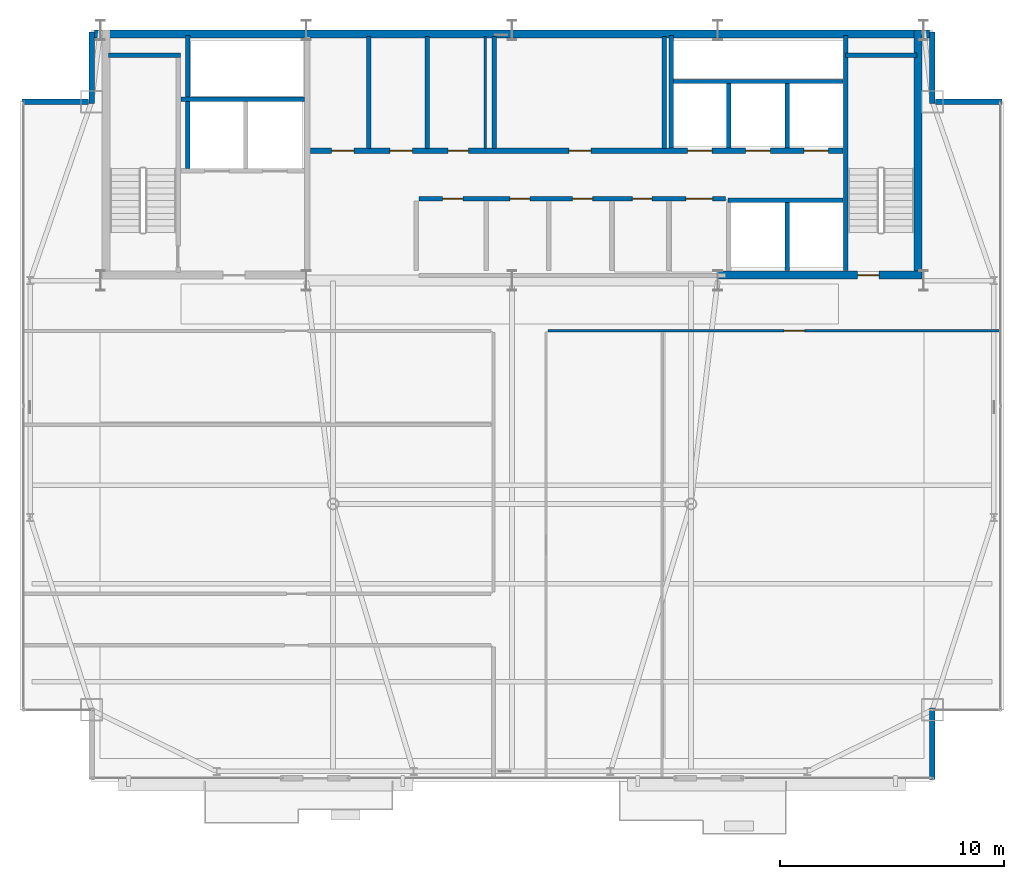
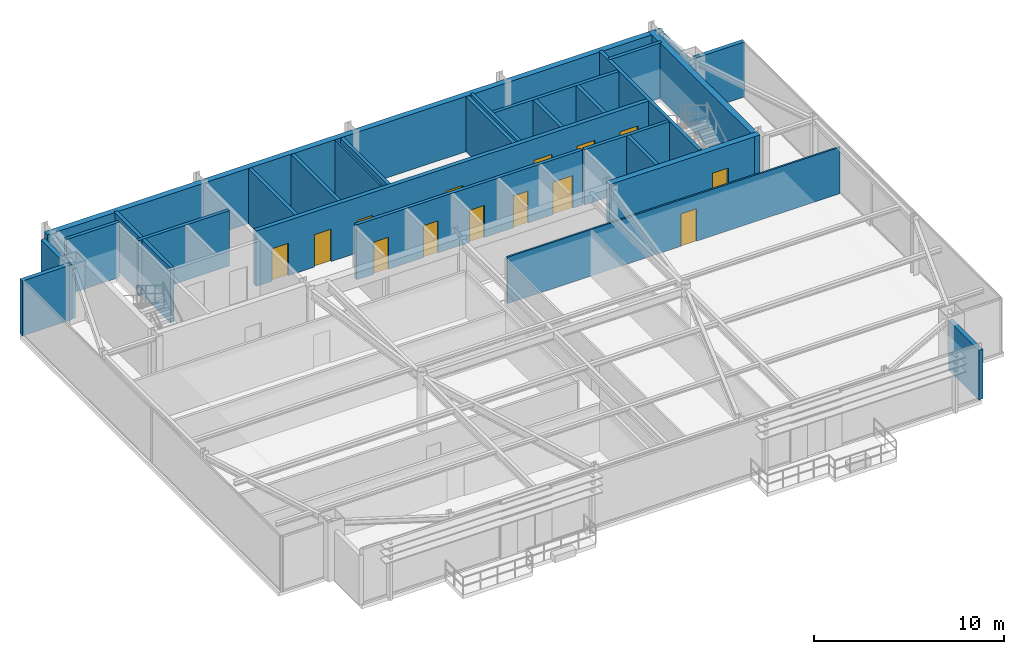
# One storey, part 20 of 23: 27 walls, 14 doors, 14 openings.
"""IFC4 building model written with IfcOpenShell, lengths in metres."""

from ifc_helpers import new_model, si_unit, direction, frame, frame_2d, origin, place, context, subcontext, project, spatial, rectangle, extrude, source, transform, mapped, material, layer, layer_set, type_object, type_shapes, element, fill, save


model = new_model("IFC4")

# Units and contexts
model_context = context("Model", 3, precision=1e-05, world=origin(), true_north=direction((0.0, 1.0)))
body_context = subcontext(model_context, "Body", "Model", "MODEL_VIEW")
ifc_project = project(units=[si_unit("LENGTHUNIT", "METRE"), si_unit("AREAUNIT", "SQUARE_METRE"), si_unit("VOLUMEUNIT", "CUBIC_METRE"), si_unit("PLANEANGLEUNIT", "RADIAN"), si_unit("MASSUNIT", "GRAM", prefix="KILO")], contexts=[model_context])

# Site, building, storey
site_placement = place(None, origin())
site = spatial("IfcSite", under=ifc_project, at=site_placement, CompositionType="ELEMENT")
building_placement = place(site_placement, origin())
building = spatial("IfcBuilding", under=site, at=building_placement, Name="Varnel Quay Broadcast Tower", CompositionType="ELEMENT")
storey_placement = place(building_placement, frame((0.0, 0.0, 266.0)))
storey = spatial("IfcBuildingStorey", under=building, at=storey_placement, Name="L66", CompositionType="ELEMENT", Elevation=266.0)

# Walls
ifc_material_1 = material(Name="Concrete CSA A23.3 C50/60", Category="concrete")
ifc_layer_1 = layer(ifc_material_1, 0.199951171875, Name="Concrete CSA A23.3 C50/60")
ifc_layer_set_1 = layer_set([ifc_layer_1], Name="Concrete CSA A23.3 C50/60")
wall_type_1 = type_object("IfcWallType", Name="Wall_CoreShaftShear200", PredefinedType="SHEAR", material=ifc_layer_set_1)
wall_1_placement = place(storey_placement, frame((15.949951171875, 45.679931640625, 0.0), z_axis=(0.0, 0.0, 1.0), x_axis=(1.0, 0.0, 0.0)))
element("IfcWall", 1, at=wall_1_placement, inside=storey, type_object=wall_type_1, Name="L66 Stair 1 North Structural Wall", PredefinedType="SHEAR", context=body_context, shape_type="SweptSolid", body=[
    extrude(rectangle(XDim=3.22998046875, YDim=0.199951171875, at=frame_2d((1.614990234375, 0.0))), origin(), (0.0, 0.0, 1.0), 3.550048828125),
])
wall_2_placement = place(storey_placement, frame((19.199951171875, 43.699951171875, 0.0), z_axis=(0.0, 0.0, 1.0), x_axis=(1.0, 0.0, 0.0)))
element("IfcWall", 2, at=wall_2_placement, inside=storey, type_object=wall_type_1, Name="L66 Firefighter Lift Shaft Rear Wall", PredefinedType="SHEAR", context=body_context, shape_type="SweptSolid", body=[
    extrude(rectangle(XDim=5.52001953125, YDim=0.199951171875, at=frame_2d((2.760009765625, 0.0))), origin(), (0.0, 0.0, 1.0), 3.550048828125),
])
wall_3_placement = place(storey_placement, frame((19.5, 40.60009765625, 0.0), z_axis=(0.0, 0.0, 1.0), x_axis=(0.0, 1.0, 0.0)))
element("IfcWall", 3, at=wall_3_placement, inside=storey, type_object=wall_type_1, Name="L66 Firefighter Lift Shaft West Wall", PredefinedType="SHEAR", context=body_context, shape_type="SweptSolid", body=[
    extrude(rectangle(XDim=5.949951171875, YDim=0.199951171875, at=frame_2d((2.97509765625, 0.0))), origin(), (0.0, 0.0, 1.0), 3.550048828125),
])
wall_4_placement = place(storey_placement, frame((48.919921875, 36.050048828125, 0.0), z_axis=(0.0, 0.0, 1.0), x_axis=(0.0, 1.0, 0.0)))
element("IfcWall", 4, at=wall_4_placement, inside=storey, type_object=wall_type_1, Name="L66 Stair 2 West Structural Wall", PredefinedType="SHEAR", context=body_context, shape_type="SweptSolid", body=[
    extrude(rectangle(XDim=10.5, YDim=0.199951171875, at=frame_2d((5.25, 0.0))), origin(), (0.0, 0.0, 1.0), 3.550048828125),
])
wall_5_placement = place(storey_placement, frame((48.919921875, 45.679931640625, 0.0), z_axis=(0.0, 0.0, 1.0), x_axis=(1.0, 0.0, 0.0)))
element("IfcWall", 5, at=wall_5_placement, inside=storey, type_object=wall_type_1, Name="L66 Stair 2 North Structural Wall", PredefinedType="SHEAR", context=body_context, shape_type="SweptSolid", body=[
    extrude(rectangle(XDim=3.18017578125, YDim=0.199951171875, at=frame_2d((1.590087890625, 0.0))), origin(), (0.0, 0.0, 1.0), 3.550048828125),
])
wall_6_placement = place(storey_placement, frame((41.219970703125, 44.5, 0.0), z_axis=(0.0, 0.0, 1.0), x_axis=(1.0, 0.0, 0.0)))
element("IfcWall", 6, at=wall_6_placement, inside=storey, type_object=wall_type_1, Name="L66 High-Rise Lift Shaft Rear Wall", PredefinedType="SHEAR", context=body_context, shape_type="SweptSolid", body=[
    extrude(rectangle(XDim=7.580078125, YDim=0.199951171875, at=frame_2d((3.7900390625, 0.0))), origin(), (0.0, 0.0, 1.0), 3.550048828125),
])
wall_7_placement = place(storey_placement, frame((41.1201171875, 41.530029296875, 0.0), z_axis=(0.0, 0.0, 1.0), x_axis=(0.0, 1.0, 0.0)))
element("IfcWall", 7, at=wall_7_placement, inside=storey, type_object=wall_type_1, Name="L66 High-Rise Lift Shaft Divider 1", PredefinedType="SHEAR", context=body_context, shape_type="SweptSolid", body=[
    extrude(rectangle(XDim=5.02001953125, YDim=0.199951171875, at=frame_2d((2.510009765625, 0.0))), origin(), (0.0, 0.0, 1.0), 3.550048828125),
])
for number, where, z_axis, x_axis, name in (
    (8, (43.699951171875, 41.530029296875, 0.0), (0.0, 0.0, 1.0), (0.0, 1.0, 0.0), "L66 High-Rise Lift Shaft Divider 2"),
    (9, (46.300048828125, 41.530029296875, 0.0), (0.0, 0.0, 1.0), (0.0, 1.0, 0.0), "L66 High-Rise Lift Shaft Divider 3"),
):
    element("IfcWall", number, at=place(storey_placement, frame(where, z_axis=z_axis, x_axis=x_axis)), inside=storey, type_object=wall_type_1, Name=name, PredefinedType="SHEAR", context=body_context, shape_type="SweptSolid", body=[
        extrude(rectangle(XDim=2.869873046875, YDim=0.199951171875, at=frame_2d((1.43505859375, 0.0))), origin(), (0.0, 0.0, 1.0), 3.550048828125),
    ])
wall_8_placement = place(storey_placement, frame((46.300048828125, 36.050048828125, 0.0), z_axis=(0.0, 0.0, 1.0), x_axis=(0.0, 1.0, 0.0)))
element("IfcWall", 10, at=wall_8_placement, inside=storey, type_object=wall_type_1, Name="L66 Express Lift Shaft Divider", PredefinedType="SHEAR", context=body_context, shape_type="SweptSolid", body=[
    extrude(rectangle(XDim=3.050048828125, YDim=0.199951171875, at=frame_2d((1.52490234375, 0.0))), origin(), (0.0, 0.0, 1.0), 3.550048828125),
])
wall_9_placement = place(storey_placement, frame((43.64990234375, 39.199951171875, 0.0), z_axis=(0.0, 0.0, 1.0), x_axis=(1.0, 0.0, 0.0)))
element("IfcWall", 11, at=wall_9_placement, inside=storey, type_object=wall_type_1, Name="L66 Express Lift Shaft North Front Wall", PredefinedType="SHEAR", context=body_context, shape_type="SweptSolid", body=[
    extrude(rectangle(XDim=5.150146484375, YDim=0.199951171875, at=frame_2d((2.5751953125, 0.0))), origin(), (0.0, 0.0, 1.0), 3.550048828125),
])

# Wall, openings, doors
ifc_layer_2 = layer(ifc_material_1, 0.25, Name="Concrete CSA A23.3 C50/60")
ifc_layer_set_2 = layer_set([ifc_layer_2], Name="Concrete CSA A23.3 C50/60")
wall_type_2 = type_object("IfcWallType", Name="Wall_CoreShaftShear250", PredefinedType="SHEAR", material=ifc_layer_set_2)
wall_10_placement = place(storey_placement, frame((24.97998046875, 41.39990234375, 0.0), z_axis=(0.0, 0.0, 1.0), x_axis=(1.0, 0.0, 0.0)))
wall_10 = element("IfcWall", 12, at=wall_10_placement, inside=storey, type_object=wall_type_2, Name="L66 North Lift Bank & Reclaimed Suite Wall", PredefinedType="SHEAR", context=body_context, shape_type="SweptSolid", body=[
    extrude(rectangle(XDim=23.820068359375, YDim=0.25, at=frame_2d((11.91015625, 0.0))), origin(), (0.0, 0.0, 1.0), 3.550048828125),
])
opening_1_placement = place(wall_10_placement, frame((16.8701171875, 0.0, 0.0)))
opening_1 = element("IfcOpeningElement", 13, at=opening_1_placement, cuts=wall_10, Name="Opening LD-L66-PH-01", PredefinedType="OPENING", context=body_context, shape_type="SweptSolid", body=[
    extrude(rectangle(XDim=1.10009765625, YDim=2.179931640625, at=frame_2d((0.550048828125, 1.08984375))), frame((0.0, 0.135009765625, 0.0), z_axis=(0.0, -1.0, 0.0), x_axis=(1.0, 0.0, 0.0)), (0.0, 0.0, 1.0), 0.27001953125),
])
opening_2_placement = place(wall_10_placement, frame((19.469970703125, 0.0, 0.0)))
opening_2 = element("IfcOpeningElement", 14, at=opening_2_placement, cuts=wall_10, Name="Opening LD-L66-PH-02", PredefinedType="OPENING", context=body_context, shape_type="SweptSolid", body=[
    extrude(rectangle(XDim=1.10009765625, YDim=2.179931640625, at=frame_2d((0.550048828125, 1.08984375))), frame((0.0, 0.135009765625, 0.0), z_axis=(0.0, -1.0, 0.0), x_axis=(1.0, 0.0, 0.0)), (0.0, 0.0, 1.0), 0.27001953125),
])
opening_3_placement = place(wall_10_placement, frame((22.070068359375, 0.0, 0.0)))
opening_3 = element("IfcOpeningElement", 15, at=opening_3_placement, cuts=wall_10, Name="Opening LD-L66-PH-03", PredefinedType="OPENING", context=body_context, shape_type="SweptSolid", body=[
    extrude(rectangle(XDim=1.10009765625, YDim=2.179931640625, at=frame_2d((0.550048828125, 1.08984375))), frame((0.0, 0.135009765625, 0.0), z_axis=(0.0, -1.0, 0.0), x_axis=(1.0, 0.0, 0.0)), (0.0, 0.0, 1.0), 0.27001953125),
])
opening_4_placement = place(wall_10_placement, frame((0.9599609375, 0.0, 0.0)))
opening_4 = element("IfcOpeningElement", 16, at=opening_4_placement, cuts=wall_10, Name="Opening D-L66-RECA1", PredefinedType="OPENING", context=body_context, shape_type="SweptSolid", body=[
    extrude(rectangle(XDim=1.0, YDim=2.080078125, at=frame_2d((0.5, 1.0400390625))), frame((0.0, 0.135009765625, 0.0), z_axis=(0.0, -1.0, 0.0), x_axis=(1.0, 0.0, 0.0)), (0.0, 0.0, 1.0), 0.27001953125),
])
opening_5_placement = place(wall_10_placement, frame((3.56005859375, 0.0, 0.0)))
opening_5 = element("IfcOpeningElement", 17, at=opening_5_placement, cuts=wall_10, Name="Opening D-L66-RECA2", PredefinedType="OPENING", context=body_context, shape_type="SweptSolid", body=[
    extrude(rectangle(XDim=1.0, YDim=2.080078125, at=frame_2d((0.5, 1.0400390625))), frame((0.0, 0.135009765625, 0.0), z_axis=(0.0, -1.0, 0.0), x_axis=(1.0, 0.0, 0.0)), (0.0, 0.0, 1.0), 0.27001953125),
])
opening_6_placement = place(wall_10_placement, frame((6.159912109375, 0.0, 0.0)))
opening_6 = element("IfcOpeningElement", 18, at=opening_6_placement, cuts=wall_10, Name="Opening D-L66-RECA3", PredefinedType="OPENING", context=body_context, shape_type="SweptSolid", body=[
    extrude(rectangle(XDim=0.919921875, YDim=2.080078125, at=frame_2d((0.4599609375, 1.0400390625))), frame((0.0, 0.135009765625, 0.0), z_axis=(0.0, -1.0, 0.0), x_axis=(1.0, 0.0, 0.0)), (0.0, 0.0, 1.0), 0.27001953125),
])
opening_7_placement = place(wall_10_placement, frame((11.56005859375, 0.0, 0.0)))
opening_7 = element("IfcOpeningElement", 19, at=opening_7_placement, cuts=wall_10, Name="Opening D-L66-RECB1", PredefinedType="OPENING", context=body_context, shape_type="SweptSolid", body=[
    extrude(rectangle(XDim=1.0, YDim=2.080078125, at=frame_2d((0.5, 1.0400390625))), frame((0.0, 0.135009765625, 0.0), z_axis=(0.0, -1.0, 0.0), x_axis=(1.0, 0.0, 0.0)), (0.0, 0.0, 1.0), 0.27001953125),
])
ifc_material_2 = material(Name="Brushed Bronze-Stainless Lift Car & Sliding Doors", Category="steel")
door_type_1 = type_object("IfcDoorType", Name="Door_LiftLanding1100", OperationType="SLIDING_TO_LEFT", PredefinedType="DOOR", material=ifc_material_2)
shared_shape_1 = source(origin(), body_context, "Body", "SweptSolid", [
    extrude(rectangle(XDim=1.10009765625, YDim=2.179931640625, at=frame_2d((0.550048828125, 1.08984375))), frame((0.0, 0.02490234375, 0.0), z_axis=(0.0, -1.0, 0.0), x_axis=(1.0, 0.0, 0.0)), (0.0, 0.0, 1.0), 0.050048828125),
])
type_shapes(door_type_1, [shared_shape_1])
door_1_placement = place(opening_1_placement, frame((1.10009765625, 0.0, 0.0), z_axis=(0.0, 0.0, 1.0), x_axis=(-1.0, 0.0, 0.0)))
door_1 = element("IfcDoor", 20, at=door_1_placement, inside=storey, type_object=door_type_1, Name="L66 Lift PH-01 Landing Door", OperationType="SLIDING_TO_LEFT", OverallHeight=2.179931640625, OverallWidth=1.10009765625, PredefinedType="DOOR", context=body_context, shape_type="MappedRepresentation", body=[
    mapped(shared_shape_1, transform((0.0, 0.0, 0.0), x_axis=(1.0, 0.0, 0.0), y_axis=(0.0, 1.0, 0.0), z_axis=(0.0, 0.0, 1.0), scale=1.0)),
])
fill(opening_1, door_1)
door_2_placement = place(opening_2_placement, frame((1.10009765625, 0.0, 0.0), z_axis=(0.0, 0.0, 1.0), x_axis=(-1.0, 0.0, 0.0)))
door_2 = element("IfcDoor", 21, at=door_2_placement, inside=storey, type_object=door_type_1, Name="L66 Lift PH-02 Landing Door", OperationType="SLIDING_TO_LEFT", OverallHeight=2.179931640625, OverallWidth=1.10009765625, PredefinedType="DOOR", context=body_context, shape_type="MappedRepresentation", body=[
    mapped(shared_shape_1, transform((0.0, 0.0, 0.0), x_axis=(1.0, 0.0, 0.0), y_axis=(0.0, 1.0, 0.0), z_axis=(0.0, 0.0, 1.0), scale=1.0)),
])
fill(opening_2, door_2)
door_3_placement = place(opening_3_placement, frame((1.10009765625, 0.0, 0.0), z_axis=(0.0, 0.0, 1.0), x_axis=(-1.0, 0.0, 0.0)))
door_3 = element("IfcDoor", 22, at=door_3_placement, inside=storey, type_object=door_type_1, Name="L66 Lift PH-03 Landing Door", OperationType="SLIDING_TO_LEFT", OverallHeight=2.179931640625, OverallWidth=1.10009765625, PredefinedType="DOOR", context=body_context, shape_type="MappedRepresentation", body=[
    mapped(shared_shape_1, transform((0.0, 0.0, 0.0), x_axis=(1.0, 0.0, 0.0), y_axis=(0.0, 1.0, 0.0), z_axis=(0.0, 0.0, 1.0), scale=1.0)),
])
fill(opening_3, door_3)
ifc_material_3 = material(Name="Insulated Fire-Rated Hollow Steel Door", Category="steel")
door_type_2 = type_object("IfcDoorType", Name="Door_FireLobby1000", OperationType="NOTDEFINED", PredefinedType="DOOR", material=ifc_material_3)
shared_shape_2 = source(origin(), body_context, "Body", "SweptSolid", [
    extrude(rectangle(XDim=1.0, YDim=2.080078125, at=frame_2d((0.5, 1.0400390625))), frame((0.0, 0.02490234375, 0.0), z_axis=(0.0, -1.0, 0.0), x_axis=(1.0, 0.0, 0.0)), (0.0, 0.0, 1.0), 0.050048828125),
])
type_shapes(door_type_2, [shared_shape_2])
door_4_placement = place(opening_4_placement, origin())
door_4 = element("IfcDoor", 23, at=door_4_placement, inside=storey, type_object=door_type_2, Name="L66 Ingest Rack Bay A Door", OperationType="SINGLE_SWING_RIGHT", OverallHeight=2.080078125, OverallWidth=1.0, PredefinedType="DOOR", context=body_context, shape_type="MappedRepresentation", body=[
    mapped(shared_shape_2, transform((0.0, 0.0, 0.0), x_axis=(1.0, 0.0, 0.0), y_axis=(0.0, 1.0, 0.0), z_axis=(0.0, 0.0, 1.0), scale=1.0)),
])
fill(opening_4, door_4)
door_5_placement = place(opening_5_placement, origin())
door_5 = element("IfcDoor", 24, at=door_5_placement, inside=storey, type_object=door_type_2, Name="L66 Fiber Patch Bay Door", OperationType="SINGLE_SWING_LEFT", OverallHeight=2.080078125, OverallWidth=1.0, PredefinedType="DOOR", context=body_context, shape_type="MappedRepresentation", body=[
    mapped(shared_shape_2, transform((0.0, 0.0, 0.0), x_axis=(1.0, 0.0, 0.0), y_axis=(0.0, 1.0, 0.0), z_axis=(0.0, 0.0, 1.0), scale=1.0)),
])
fill(opening_5, door_5)
door_6_placement = place(opening_7_placement, origin())
door_6 = element("IfcDoor", 25, at=door_6_placement, inside=storey, type_object=door_type_2, Name="L66 High-Zone Broadcast Rack Hall Door", OperationType="SINGLE_SWING_LEFT", OverallHeight=2.080078125, OverallWidth=1.0, PredefinedType="DOOR", context=body_context, shape_type="MappedRepresentation", body=[
    mapped(shared_shape_2, transform((0.0, 0.0, 0.0), x_axis=(1.0, 0.0, 0.0), y_axis=(0.0, 1.0, 0.0), z_axis=(0.0, 0.0, 1.0), scale=1.0)),
])
fill(opening_7, door_6)
ifc_material_4 = material(Name="Solid-Core Fire-Rated Acoustic Oak Veneer Door", Category="wood")
door_type_3 = type_object("IfcDoorType", Name="Door_Office920", OperationType="NOTDEFINED", PredefinedType="DOOR", material=ifc_material_4)
shared_shape_3 = source(origin(), body_context, "Body", "SweptSolid", [
    extrude(rectangle(XDim=0.919921875, YDim=2.080078125, at=frame_2d((0.4599609375, 1.0400390625))), frame((0.0, 0.02490234375, 0.0), z_axis=(0.0, -1.0, 0.0), x_axis=(1.0, 0.0, 0.0)), (0.0, 0.0, 1.0), 0.050048828125),
])
type_shapes(door_type_3, [shared_shape_3])
door_7_placement = place(opening_6_placement, origin())
door_7 = element("IfcDoor", 26, at=door_7_placement, inside=storey, type_object=door_type_3, Name="L66 Telemetry Store Door", OperationType="SINGLE_SWING_RIGHT", OverallHeight=2.080078125, OverallWidth=0.919921875, PredefinedType="DOOR", context=body_context, shape_type="MappedRepresentation", body=[
    mapped(shared_shape_3, transform((0.0, 0.0, 0.0), x_axis=(1.0, 0.0, 0.0), y_axis=(0.0, 1.0, 0.0), z_axis=(0.0, 0.0, 1.0), scale=1.0)),
])
fill(opening_6, door_7)

# Walls
ifc_layer_3 = layer(ifc_material_1, 0.35009765625, Name="Concrete CSA A23.3 C50/60")
ifc_layer_set_3 = layer_set([ifc_layer_3], Name="Concrete CSA A23.3 C50/60")
wall_type_3 = type_object("IfcWallType", Name="Wall_CoreShearExt350", PredefinedType="SHEAR", material=ifc_layer_set_3)
wall_11_placement = place(storey_placement, frame((15.324951171875, 46.625, 0.0), z_axis=(0.0, 0.0, 1.0), x_axis=(1.0, 0.0, 0.0)))
element("IfcWall", 27, at=wall_11_placement, inside=storey, type_object=wall_type_3, Name="L66 North Core Shear Wall", PredefinedType="SHEAR", context=body_context, shape_type="SweptSolid", body=[
    extrude(rectangle(XDim=37.35009765625, YDim=0.35009765625, at=frame_2d((18.675048828125, 0.0))), origin(), (0.0, 0.0, 1.0), 3.550048828125),
])
ifc_layer_4 = layer(ifc_material_1, 0.35009765625, Name="Concrete CSA A23.3 C50/60")
ifc_layer_set_4 = layer_set([ifc_layer_4], Name="Concrete CSA A23.3 C50/60")
wall_type_4 = type_object("IfcWallType", Name="Wall_CoreShearInt350", PredefinedType="SHEAR", material=ifc_layer_set_4)
wall_12_placement = place(storey_placement, frame((52.155029296875, 35.669921875, 0.0), z_axis=(0.0, 0.0, 1.0), x_axis=(0.0, 1.0, 0.0)))
element("IfcWall", 28, at=wall_12_placement, inside=storey, type_object=wall_type_4, Name="L66 East Core Shear Wall", PredefinedType="SHEAR", context=body_context, shape_type="SweptSolid", body=[
    extrude(rectangle(XDim=11.130126953125, YDim=0.35009765625, at=frame_2d((5.56494140625, 0.0))), origin(), (0.0, 0.0, 1.0), 3.550048828125),
])

# Wall, opening, door
wall_13_placement = place(storey_placement, frame((43.199951171875, 35.844970703125, 0.0), z_axis=(0.0, 0.0, 1.0), x_axis=(1.0, 0.0, 0.0)))
wall_13 = element("IfcWall", 29, at=wall_13_placement, inside=storey, type_object=wall_type_4, Name="L66 South-East Core Shear Wall", PredefinedType="SHEAR", context=body_context, shape_type="SweptSolid", body=[
    extrude(rectangle(XDim=9.130126953125, YDim=0.35009765625, at=frame_2d((4.56494140625, 0.0))), origin(), (0.0, 0.0, 1.0), 3.550048828125),
])
opening_8_placement = place(wall_13_placement, frame((6.25, 0.0, 0.0)))
opening_8 = element("IfcOpeningElement", 30, at=opening_8_placement, cuts=wall_13, Name="Opening D-L66-S2", PredefinedType="OPENING", context=body_context, shape_type="SweptSolid", body=[
    extrude(rectangle(XDim=0.949951171875, YDim=2.10009765625, at=frame_2d((0.47509765625, 1.050048828125))), frame((0.0, 0.18505859375, 0.0), z_axis=(0.0, -1.0, 0.0), x_axis=(1.0, 0.0, 0.0)), (0.0, 0.0, 1.0), 0.3701171875),
])
door_type_4 = type_object("IfcDoorType", Name="Door_FireStair950", OperationType="NOTDEFINED", PredefinedType="DOOR", material=ifc_material_3)
shared_shape_4 = source(origin(), body_context, "Body", "SweptSolid", [
    extrude(rectangle(XDim=0.949951171875, YDim=2.10009765625, at=frame_2d((0.47509765625, 1.050048828125))), frame((0.0, 0.02490234375, 0.0), z_axis=(0.0, -1.0, 0.0), x_axis=(1.0, 0.0, 0.0)), (0.0, 0.0, 1.0), 0.050048828125),
])
type_shapes(door_type_4, [shared_shape_4])
door_8_placement = place(opening_8_placement, origin())
door_8 = element("IfcDoor", 31, at=door_8_placement, inside=storey, type_object=door_type_4, Name="L66 Stair 2 Fire Door", OperationType="SINGLE_SWING_LEFT", OverallHeight=2.10009765625, OverallWidth=0.949951171875, PredefinedType="DOOR", context=body_context, shape_type="MappedRepresentation", body=[
    mapped(shared_shape_4, transform((0.0, 0.0, 0.0), x_axis=(1.0, 0.0, 0.0), y_axis=(0.0, 1.0, 0.0), z_axis=(0.0, 0.0, 1.0), scale=1.0)),
])
fill(opening_8, door_8)

# Walls
ifc_material_5 = material(Name="Precast Architectural Concrete C40/50", Category="concrete")
ifc_layer_5 = layer(ifc_material_5, 0.25, Name="Precast Architectural Concrete C40/50")
ifc_layer_set_5 = layer_set([ifc_layer_5], Name="Precast Architectural Concrete C40/50")
wall_type_5 = type_object("IfcWallType", Name="Wall_ExtTerrace250", PredefinedType="SOLIDWALL", material=ifc_layer_set_5)
wall_14_placement = place(storey_placement, frame((52.800048828125, 13.280029296875, 0.0), z_axis=(0.0, 0.0, 1.0), x_axis=(0.0, 1.0, 0.0)))
element("IfcWall", 32, at=wall_14_placement, inside=storey, type_object=wall_type_5, Name="L66 Mega-Column Notch Cladding Wall NSE2", PredefinedType="SOLIDWALL", context=body_context, shape_type="SweptSolid", body=[
    extrude(rectangle(XDim=3.199951171875, YDim=0.25, at=frame_2d((1.60009765625, 0.0))), origin(), (0.0, 0.0, 1.0), 3.1708984375),
])
wall_15_placement = place(storey_placement, frame((12.080078125, 43.60009765625, 0.0), z_axis=(0.0, 0.0, 1.0), x_axis=(1.0, 0.0, 0.0)))
element("IfcWall", 33, at=wall_15_placement, inside=storey, type_object=wall_type_5, Name="L66 Mega-Column Notch Cladding Wall NNW1", PredefinedType="SOLIDWALL", context=body_context, shape_type="SweptSolid", body=[
    extrude(rectangle(XDim=2.989990234375, YDim=0.25, at=frame_2d((1.4951171875, 0.0))), origin(), (0.0, 0.0, 1.0), 3.530029296875),
])
wall_16_placement = place(storey_placement, frame((15.199951171875, 43.52001953125, 0.0), z_axis=(0.0, 0.0, 1.0), x_axis=(0.0, 1.0, 0.0)))
element("IfcWall", 34, at=wall_16_placement, inside=storey, type_object=wall_type_5, Name="L66 Mega-Column Notch Cladding Wall NNW2", PredefinedType="SOLIDWALL", context=body_context, shape_type="SweptSolid", body=[
    extrude(rectangle(XDim=3.199951171875, YDim=0.25, at=frame_2d((1.60009765625, 0.0))), origin(), (0.0, 0.0, 1.0), 3.1708984375),
])
wall_17_placement = place(storey_placement, frame((52.929931640625, 43.60009765625, 0.0), z_axis=(0.0, 0.0, 1.0), x_axis=(1.0, 0.0, 0.0)))
element("IfcWall", 35, at=wall_17_placement, inside=storey, type_object=wall_type_5, Name="L66 Mega-Column Notch Cladding Wall NNE1", PredefinedType="SOLIDWALL", context=body_context, shape_type="SweptSolid", body=[
    extrude(rectangle(XDim=2.989990234375, YDim=0.25, at=frame_2d((1.4951171875, 0.0))), origin(), (0.0, 0.0, 1.0), 3.530029296875),
])
wall_18_placement = place(storey_placement, frame((52.800048828125, 43.52001953125, 0.0), z_axis=(0.0, 0.0, 1.0), x_axis=(0.0, 1.0, 0.0)))
element("IfcWall", 36, at=wall_18_placement, inside=storey, type_object=wall_type_5, Name="L66 Mega-Column Notch Cladding Wall NNE2", PredefinedType="SOLIDWALL", context=body_context, shape_type="SweptSolid", body=[
    extrude(rectangle(XDim=3.199951171875, YDim=0.25, at=frame_2d((1.60009765625, 0.0))), origin(), (0.0, 0.0, 1.0), 3.1708984375),
])

# Wall, openings, doors
ifc_material_6 = material(Name="Concrete Blockwork Fire Enclosure C40/50", Category="masonry")
ifc_layer_6 = layer(ifc_material_6, 0.199951171875, Name="Concrete Blockwork Fire Enclosure C40/50")
ifc_layer_set_6 = layer_set([ifc_layer_6], Name="Concrete Blockwork Fire Enclosure C40/50")
wall_type_6 = type_object("IfcWallType", Name="Wall_FireShaft200", PredefinedType="SOLIDWALL", material=ifc_layer_set_6)
wall_19_placement = place(storey_placement, frame((29.85009765625, 39.25, 0.0), z_axis=(0.0, 0.0, 1.0), x_axis=(1.0, 0.0, 0.0)))
wall_19 = element("IfcWall", 37, at=wall_19_placement, inside=storey, type_object=wall_type_6, Name="L66 Accessible Washroom Partition 3", PredefinedType="SOLIDWALL", context=body_context, shape_type="SweptSolid", body=[
    extrude(rectangle(XDim=13.699951171875, YDim=0.199951171875, at=frame_2d((6.85009765625, 0.0))), origin(), (0.0, 0.0, 1.0), 3.530029296875),
])
opening_9_placement = place(wall_19_placement, frame((1.050048828125, 0.0, 0.0)))
opening_9 = element("IfcOpeningElement", 38, at=opening_9_placement, cuts=wall_19, Name="Opening D-L66-01", PredefinedType="OPENING", context=body_context, shape_type="SweptSolid", body=[
    extrude(rectangle(XDim=0.89990234375, YDim=2.06005859375, at=frame_2d((0.449951171875, 1.030029296875))), frame((0.0, 0.10986328125, 0.0), z_axis=(0.0, -1.0, 0.0), x_axis=(1.0, 0.0, 0.0)), (0.0, 0.0, 1.0), 0.219970703125),
])
opening_10_placement = place(wall_19_placement, frame((4.050048828125, 0.0, 0.0)))
opening_10 = element("IfcOpeningElement", 39, at=opening_10_placement, cuts=wall_19, Name="Opening D-L66-02", PredefinedType="OPENING", context=body_context, shape_type="SweptSolid", body=[
    extrude(rectangle(XDim=0.89990234375, YDim=2.06005859375, at=frame_2d((0.449951171875, 1.030029296875))), frame((0.0, 0.10986328125, 0.0), z_axis=(0.0, -1.0, 0.0), x_axis=(1.0, 0.0, 0.0)), (0.0, 0.0, 1.0), 0.219970703125),
])
opening_11_placement = place(wall_19_placement, frame((6.85009765625, 0.0, 0.0)))
opening_11 = element("IfcOpeningElement", 40, at=opening_11_placement, cuts=wall_19, Name="Opening D-L66-03", PredefinedType="OPENING", context=body_context, shape_type="SweptSolid", body=[
    extrude(rectangle(XDim=0.89990234375, YDim=2.06005859375, at=frame_2d((0.449951171875, 1.030029296875))), frame((0.0, 0.10986328125, 0.0), z_axis=(0.0, -1.0, 0.0), x_axis=(1.0, 0.0, 0.0)), (0.0, 0.0, 1.0), 0.219970703125),
])
opening_12_placement = place(wall_19_placement, frame((9.534912109375, 0.0, 0.0)))
opening_12 = element("IfcOpeningElement", 41, at=opening_12_placement, cuts=wall_19, Name="Opening D-L66-04", PredefinedType="OPENING", context=body_context, shape_type="SweptSolid", body=[
    extrude(rectangle(XDim=0.8798828125, YDim=2.06005859375, at=frame_2d((0.43994140625, 1.030029296875))), frame((0.0, 0.10986328125, 0.0), z_axis=(0.0, -1.0, 0.0), x_axis=(1.0, 0.0, 0.0)), (0.0, 0.0, 1.0), 0.219970703125),
])
opening_13_placement = place(wall_19_placement, frame((11.925048828125, 0.0, 0.0)))
opening_13 = element("IfcOpeningElement", 42, at=opening_13_placement, cuts=wall_19, Name="Opening D-L66-05", PredefinedType="OPENING", context=body_context, shape_type="SweptSolid", body=[
    extrude(rectangle(XDim=1.199951171875, YDim=2.10009765625, at=frame_2d((0.60009765625, 1.050048828125))), frame((0.0, 0.10986328125, 0.0), z_axis=(0.0, -1.0, 0.0), x_axis=(1.0, 0.0, 0.0)), (0.0, 0.0, 1.0), 0.219970703125),
])
door_type_5 = type_object("IfcDoorType", Name="Door_Washroom900", OperationType="NOTDEFINED", PredefinedType="DOOR", material=ifc_material_4)
shared_shape_5 = source(origin(), body_context, "Body", "SweptSolid", [
    extrude(rectangle(XDim=0.89990234375, YDim=2.06005859375, at=frame_2d((0.449951171875, 1.030029296875))), frame((0.0, 0.02490234375, 0.0), z_axis=(0.0, -1.0, 0.0), x_axis=(1.0, 0.0, 0.0)), (0.0, 0.0, 1.0), 0.050048828125),
])
type_shapes(door_type_5, [shared_shape_5])
door_9_placement = place(opening_9_placement, frame((0.89990234375, 0.0, 0.0), z_axis=(0.0, 0.0, 1.0), x_axis=(-1.0, 0.0, 0.0)))
door_9 = element("IfcDoor", 43, at=door_9_placement, inside=storey, type_object=door_type_5, Name="L66 Accessible Washroom Door D-L66-01", OperationType="SINGLE_SWING_RIGHT", OverallHeight=2.06005859375, OverallWidth=0.89990234375, PredefinedType="DOOR", context=body_context, shape_type="MappedRepresentation", body=[
    mapped(shared_shape_5, transform((0.0, 0.0, 0.0), x_axis=(1.0, 0.0, 0.0), y_axis=(0.0, 1.0, 0.0), z_axis=(0.0, 0.0, 1.0), scale=1.0)),
])
fill(opening_9, door_9)
door_10_placement = place(opening_10_placement, frame((0.89990234375, 0.0, 0.0), z_axis=(0.0, 0.0, 1.0), x_axis=(-1.0, 0.0, 0.0)))
door_10 = element("IfcDoor", 44, at=door_10_placement, inside=storey, type_object=door_type_5, Name="L66 West Gender-Neutral Washroom Door D-L66-02", OperationType="SINGLE_SWING_LEFT", OverallHeight=2.06005859375, OverallWidth=0.89990234375, PredefinedType="DOOR", context=body_context, shape_type="MappedRepresentation", body=[
    mapped(shared_shape_5, transform((0.0, 0.0, 0.0), x_axis=(1.0, 0.0, 0.0), y_axis=(0.0, 1.0, 0.0), z_axis=(0.0, 0.0, 1.0), scale=1.0)),
])
fill(opening_10, door_10)
door_11_placement = place(opening_11_placement, frame((0.89990234375, 0.0, 0.0), z_axis=(0.0, 0.0, 1.0), x_axis=(-1.0, 0.0, 0.0)))
door_11 = element("IfcDoor", 45, at=door_11_placement, inside=storey, type_object=door_type_5, Name="L66 East Staff Washroom Door D-L66-03", OperationType="SINGLE_SWING_RIGHT", OverallHeight=2.06005859375, OverallWidth=0.89990234375, PredefinedType="DOOR", context=body_context, shape_type="MappedRepresentation", body=[
    mapped(shared_shape_5, transform((0.0, 0.0, 0.0), x_axis=(1.0, 0.0, 0.0), y_axis=(0.0, 1.0, 0.0), z_axis=(0.0, 0.0, 1.0), scale=1.0)),
])
fill(opening_11, door_11)
door_type_6 = type_object("IfcDoorType", Name="Door_Plant1200", OperationType="NOTDEFINED", PredefinedType="DOOR", material=ifc_material_3)
shared_shape_6 = source(origin(), body_context, "Body", "SweptSolid", [
    extrude(rectangle(XDim=1.199951171875, YDim=2.10009765625, at=frame_2d((0.60009765625, 1.050048828125))), frame((0.0, 0.02490234375, 0.0), z_axis=(0.0, -1.0, 0.0), x_axis=(1.0, 0.0, 0.0)), (0.0, 0.0, 1.0), 0.050048828125),
])
type_shapes(door_type_6, [shared_shape_6])
door_12_placement = place(opening_13_placement, origin())
door_12 = element("IfcDoor", 46, at=door_12_placement, inside=storey, type_object=door_type_6, Name="L66 Telecom IDF Closet Door D-L66-05", OperationType="SINGLE_SWING_RIGHT", OverallHeight=2.10009765625, OverallWidth=1.199951171875, PredefinedType="DOOR", context=body_context, shape_type="MappedRepresentation", body=[
    mapped(shared_shape_6, transform((0.0, 0.0, 0.0), x_axis=(1.0, 0.0, 0.0), y_axis=(0.0, 1.0, 0.0), z_axis=(0.0, 0.0, 1.0), scale=1.0)),
])
fill(opening_13, door_12)
door_type_7 = type_object("IfcDoorType", Name="Door_Booth880", OperationType="NOTDEFINED", PredefinedType="DOOR", material=ifc_material_4)
shared_shape_7 = source(origin(), body_context, "Body", "SweptSolid", [
    extrude(rectangle(XDim=0.8798828125, YDim=2.06005859375, at=frame_2d((0.43994140625, 1.030029296875))), frame((0.0, 0.02490234375, 0.0), z_axis=(0.0, -1.0, 0.0), x_axis=(1.0, 0.0, 0.0)), (0.0, 0.0, 1.0), 0.050048828125),
])
type_shapes(door_type_7, [shared_shape_7])
door_13_placement = place(opening_12_placement, frame((0.8798828125, 0.0, 0.0), z_axis=(0.0, 0.0, 1.0), x_axis=(-1.0, 0.0, 0.0)))
door_13 = element("IfcDoor", 47, at=door_13_placement, inside=storey, type_object=door_type_7, Name="L66 Cleaners' & Linen Store Door D-L66-04", OperationType="SINGLE_SWING_LEFT", OverallHeight=2.06005859375, OverallWidth=0.8798828125, PredefinedType="DOOR", context=body_context, shape_type="MappedRepresentation", body=[
    mapped(shared_shape_7, transform((0.0, 0.0, 0.0), x_axis=(1.0, 0.0, 0.0), y_axis=(0.0, 1.0, 0.0), z_axis=(0.0, 0.0, 1.0), scale=1.0)),
])
fill(opening_12, door_13)

# Walls
for number, where, z_axis, x_axis, name in (
    (48, (27.60009765625, 41.5, 0.0), (0.0, 0.0, 1.0), (0.0, 1.0, 0.0), "L66 Ingest Rack Bay A Partition 17"),
    (49, (30.199951171875, 41.5, 0.0), (0.0, 0.0, 1.0), (0.0, 1.0, 0.0), "L66 Fiber Patch Bay Partition 18"),
    (50, (40.800048828125, 41.5, 0.0), (0.0, 0.0, 1.0), (0.0, 1.0, 0.0), "L66 High-Zone Broadcast Rack Hall Partition 20"),
    (51, (33.199951171875, 41.5, 0.0), (0.0, 0.0, 1.0), (0.0, 1.0, 0.0), "L66 High-Zone Broadcast Rack Hall Partition 21"),
):
    element("IfcWall", number, at=place(storey_placement, frame(where, z_axis=z_axis, x_axis=x_axis)), inside=storey, type_object=wall_type_6, Name=name, PredefinedType="SOLIDWALL", context=body_context, shape_type="SweptSolid", body=[
        extrude(rectangle(XDim=5.02001953125, YDim=0.199951171875, at=frame_2d((2.510009765625, 0.0))), origin(), (0.0, 0.0, 1.0), 3.530029296875),
    ])

# Wall, opening, door
ifc_material_7 = material(Name="Steel-Stud Fire-Rated Acoustic Gypsum Partition Assembly", Category="steel")
ifc_layer_7 = layer(ifc_material_7, 0.10498046875, Name="Steel-Stud Fire-Rated Acoustic Gypsum Partition Assembly")
ifc_layer_set_7 = layer_set([ifc_layer_7], Name="Steel-Stud Fire-Rated Acoustic Gypsum Partition Assembly")
wall_type_7 = type_object("IfcWallType", Name="Wall_Partition105", PredefinedType="PARTITIONING", material=ifc_layer_set_7)
wall_20_placement = place(storey_placement, frame((35.6201171875, 33.35009765625, 0.0), z_axis=(0.0, 0.0, 1.0), x_axis=(1.0, 0.0, 0.0)))
wall_20 = element("IfcWall", 52, at=wall_20_placement, inside=storey, type_object=wall_type_7, Name="L66 Camera Locker Store 4 Partition 15", PredefinedType="PARTITIONING", context=body_context, shape_type="SweptSolid", body=[
    extrude(rectangle(XDim=20.199951171875, YDim=0.10498046875, at=frame_2d((10.10009765625, 0.0))), origin(), (0.0, 0.0, 1.0), 2.98095703125),
])
opening_14_placement = place(wall_20_placement, frame((10.550048828125, 0.0, 0.0)))
opening_14 = element("IfcOpeningElement", 53, at=opening_14_placement, cuts=wall_20, Name="Opening D-L66-10", PredefinedType="OPENING", context=body_context, shape_type="SweptSolid", body=[
    extrude(rectangle(XDim=0.919921875, YDim=2.080078125, at=frame_2d((0.4599609375, 1.0400390625))), frame((0.0, 0.0625, 0.0), z_axis=(0.0, -1.0, 0.0), x_axis=(1.0, 0.0, 0.0)), (0.0, 0.0, 1.0), 0.125),
])
door_14_placement = place(opening_14_placement, frame((0.919921875, 0.0, 0.0), z_axis=(0.0, 0.0, 1.0), x_axis=(-1.0, 0.0, 0.0)))
door_14 = element("IfcDoor", 54, at=door_14_placement, inside=storey, type_object=door_type_3, Name="L66 Broadcast Newsroom 5 Door D-L66-10", OperationType="SINGLE_SWING_LEFT", OverallHeight=2.080078125, OverallWidth=0.919921875, PredefinedType="DOOR", context=body_context, shape_type="MappedRepresentation", body=[
    mapped(shared_shape_3, transform((0.0, 0.0, 0.0), x_axis=(1.0, 0.0, 0.0), y_axis=(0.0, 1.0, 0.0), z_axis=(0.0, 0.0, 1.0), scale=1.0)),
])
fill(opening_14, door_14)

# Wall
wall_21_placement = place(storey_placement, frame((32.800048828125, 41.5, 0.0), z_axis=(0.0, 0.0, 1.0), x_axis=(0.0, 1.0, 0.0)))
element("IfcWall", 55, at=wall_21_placement, inside=storey, type_object=wall_type_7, Name="L66 Telemetry Store Partition 19", PredefinedType="PARTITIONING", context=body_context, shape_type="SweptSolid", body=[
    extrude(rectangle(XDim=5.02001953125, YDim=0.10498046875, at=frame_2d((2.510009765625, 0.0))), origin(), (0.0, 0.0, 1.0), 3.530029296875),
])

save(model, "model.ifc")
